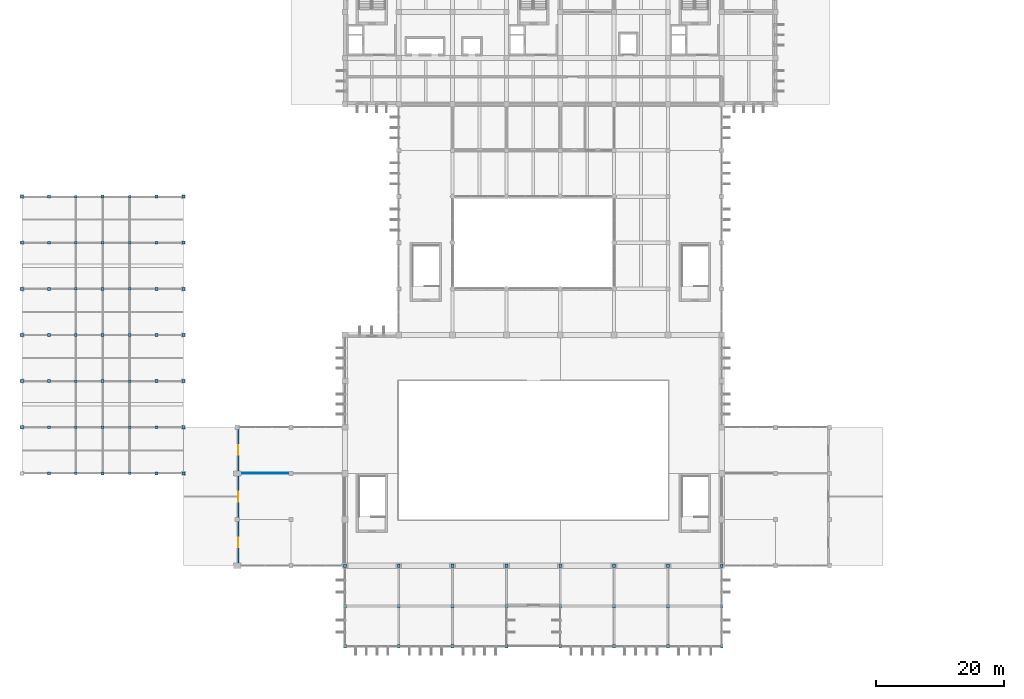
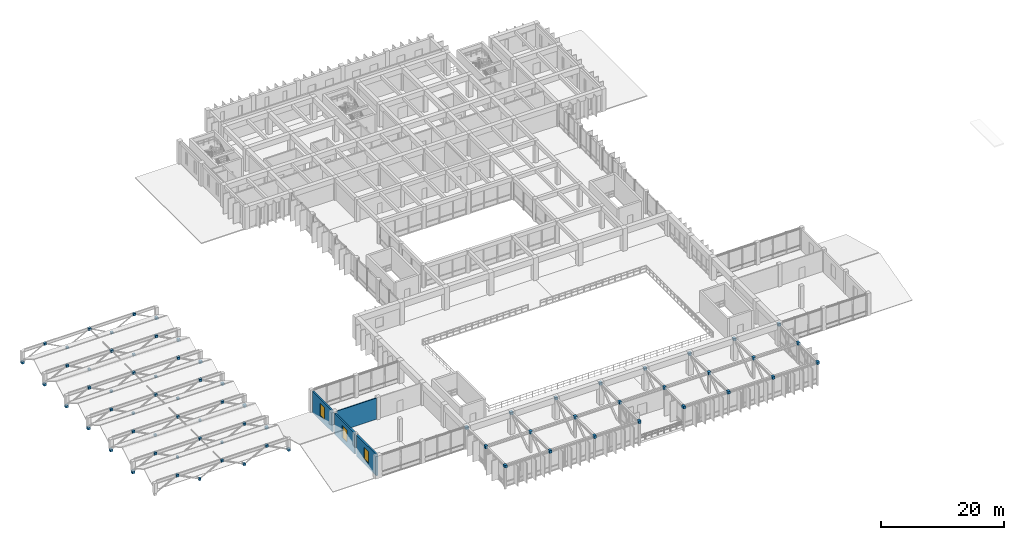
# One storey, part 25 of 40: 72 plates, 4 walls, 3 windows, 3 openings.
"""IFC4 building model written with IfcOpenShell, lengths in metres."""

from ifc_helpers import new_model, si_unit, direction, frame, frame_2d, origin, origin_2d, place, context, subcontext, project, spatial, rectangle, extrude, material, layer, layer_set, type_object, element, fill, save


model = new_model("IFC4")

# Units and contexts
model_context = context("Model", 3, precision=1e-05, world=origin(), true_north=direction((0.0, 1.0)))
body_context = subcontext(model_context, "Body", "Model", "MODEL_VIEW")
ifc_project = project(units=[si_unit("LENGTHUNIT", "METRE"), si_unit("AREAUNIT", "SQUARE_METRE"), si_unit("VOLUMEUNIT", "CUBIC_METRE"), si_unit("PLANEANGLEUNIT", "RADIAN"), si_unit("MASSUNIT", "GRAM", prefix="KILO")], contexts=[model_context])

# Site, building, storey
site_placement = place(None, origin())
site = spatial("IfcSite", under=ifc_project, at=site_placement, CompositionType="ELEMENT")
building_placement = place(site_placement, origin())
building = spatial("IfcBuilding", under=site, at=building_placement, Name="Kenerak Square Central Library", CompositionType="ELEMENT")
storey_placement = place(building_placement, frame((0.0, 0.0, 14.39990234375)))
storey = spatial("IfcBuildingStorey", under=building, at=storey_placement, Name="L03", CompositionType="ELEMENT", Elevation=14.39990234375)

# Plates
ifc_material_1 = material(Name="Steel S355", Category="steel")
ifc_layer_1 = layer(ifc_material_1, 0.030029296875)
ifc_layer_set_1 = layer_set([ifc_layer_1], Name="Steel S355")
plate_type_1 = type_object("IfcPlateType", Name="Auditorium Truss Gusset Node ATN-01 30mm S355", PredefinedType="USERDEFINED", material=ifc_layer_set_1)
plate_1_placement = place(storey_placement, frame((12.199951171875, 38.39990234375, 1.7548828125), z_axis=(0.0, 0.0, 1.0), x_axis=(1.0, 0.0, 0.0)))
element("IfcPlate", 1, at=plate_1_placement, inside=storey, type_object=plate_type_1, Name="Auditorium Truss Gusset ATN-01 0173", ObjectType="GUSSET PLATE", PredefinedType="USERDEFINED", context=body_context, shape_type="SweptSolid", body=[
    extrude(rectangle(XDim=0.449951171875, YDim=0.449951171875, at=origin_2d()), origin(), (0.0, 0.0, 1.0), 0.449951171875),
])
plate_2_placement = place(storey_placement, frame((16.39990234375, 38.39990234375, -0.449951171875), z_axis=(0.0, 0.0, 1.0), x_axis=(1.0, 0.0, 0.0)))
element("IfcPlate", 2, at=plate_2_placement, inside=storey, type_object=plate_type_1, Name="Auditorium Truss Bottom Node ATN-01 0174", ObjectType="GUSSET PLATE", PredefinedType="USERDEFINED", context=body_context, shape_type="SweptSolid", body=[
    extrude(rectangle(XDim=0.39990234375, YDim=0.39990234375, at=origin_2d()), origin(), (0.0, 0.0, 1.0), 0.39990234375),
])
plate_3_placement = place(storey_placement, frame((20.60009765625, 38.39990234375, 1.7548828125), z_axis=(0.0, 0.0, 1.0), x_axis=(1.0, 0.0, 0.0)))
element("IfcPlate", 3, at=plate_3_placement, inside=storey, type_object=plate_type_1, Name="Auditorium Truss Gusset ATN-01 0175", ObjectType="GUSSET PLATE", PredefinedType="USERDEFINED", context=body_context, shape_type="SweptSolid", body=[
    extrude(rectangle(XDim=0.449951171875, YDim=0.449951171875, at=origin_2d()), origin(), (0.0, 0.0, 1.0), 0.449951171875),
])
plate_4_placement = place(storey_placement, frame((24.800048828125, 38.39990234375, -0.449951171875), z_axis=(0.0, 0.0, 1.0), x_axis=(1.0, 0.0, 0.0)))
element("IfcPlate", 4, at=plate_4_placement, inside=storey, type_object=plate_type_1, Name="Auditorium Truss Bottom Node ATN-01 0176", ObjectType="GUSSET PLATE", PredefinedType="USERDEFINED", context=body_context, shape_type="SweptSolid", body=[
    extrude(rectangle(XDim=0.39990234375, YDim=0.39990234375, at=origin_2d()), origin(), (0.0, 0.0, 1.0), 0.39990234375),
])
plate_5_placement = place(storey_placement, frame((29.0, 38.39990234375, 1.7548828125), z_axis=(0.0, 0.0, 1.0), x_axis=(1.0, 0.0, 0.0)))
element("IfcPlate", 5, at=plate_5_placement, inside=storey, type_object=plate_type_1, Name="Auditorium Truss Gusset ATN-01 0177", ObjectType="GUSSET PLATE", PredefinedType="USERDEFINED", context=body_context, shape_type="SweptSolid", body=[
    extrude(rectangle(XDim=0.449951171875, YDim=0.449951171875, at=origin_2d()), origin(), (0.0, 0.0, 1.0), 0.449951171875),
])
for number, where, z_axis, x_axis, name in (
    (6, (8.0, 38.39990234375, -0.489990234375), (0.0, 0.0, 1.0), (1.0, 0.0, 0.0), "Auditorium Truss Bearing Cap ATN-01 0178"),
    (7, (33.199951171875, 38.39990234375, -0.489990234375), (0.0, 0.0, 1.0), (1.0, 0.0, 0.0), "Auditorium Truss Bearing Cap ATN-01 0179"),
):
    element("IfcPlate", number, at=place(storey_placement, frame(where, z_axis=z_axis, x_axis=x_axis)), inside=storey, type_object=plate_type_1, Name=name, ObjectType="GUSSET PLATE", PredefinedType="USERDEFINED", context=body_context, shape_type="SweptSolid", body=[
        extrude(rectangle(XDim=0.47998046875, YDim=0.47998046875, at=origin_2d()), origin(), (0.0, 0.0, 1.0), 0.47998046875),
    ])
plate_6_placement = place(storey_placement, frame((12.199951171875, 45.60009765625, 1.7548828125), z_axis=(0.0, 0.0, 1.0), x_axis=(1.0, 0.0, 0.0)))
element("IfcPlate", 8, at=plate_6_placement, inside=storey, type_object=plate_type_1, Name="Auditorium Truss Gusset ATN-01 0180", ObjectType="GUSSET PLATE", PredefinedType="USERDEFINED", context=body_context, shape_type="SweptSolid", body=[
    extrude(rectangle(XDim=0.449951171875, YDim=0.449951171875, at=origin_2d()), origin(), (0.0, 0.0, 1.0), 0.449951171875),
])
plate_7_placement = place(storey_placement, frame((16.39990234375, 45.60009765625, -0.449951171875), z_axis=(0.0, 0.0, 1.0), x_axis=(1.0, 0.0, 0.0)))
element("IfcPlate", 9, at=plate_7_placement, inside=storey, type_object=plate_type_1, Name="Auditorium Truss Bottom Node ATN-01 0181", ObjectType="GUSSET PLATE", PredefinedType="USERDEFINED", context=body_context, shape_type="SweptSolid", body=[
    extrude(rectangle(XDim=0.39990234375, YDim=0.39990234375, at=origin_2d()), origin(), (0.0, 0.0, 1.0), 0.39990234375),
])
plate_8_placement = place(storey_placement, frame((20.60009765625, 45.60009765625, 1.7548828125), z_axis=(0.0, 0.0, 1.0), x_axis=(1.0, 0.0, 0.0)))
element("IfcPlate", 10, at=plate_8_placement, inside=storey, type_object=plate_type_1, Name="Auditorium Truss Gusset ATN-01 0182", ObjectType="GUSSET PLATE", PredefinedType="USERDEFINED", context=body_context, shape_type="SweptSolid", body=[
    extrude(rectangle(XDim=0.449951171875, YDim=0.449951171875, at=origin_2d()), origin(), (0.0, 0.0, 1.0), 0.449951171875),
])
plate_9_placement = place(storey_placement, frame((24.800048828125, 45.60009765625, -0.449951171875), z_axis=(0.0, 0.0, 1.0), x_axis=(1.0, 0.0, 0.0)))
element("IfcPlate", 11, at=plate_9_placement, inside=storey, type_object=plate_type_1, Name="Auditorium Truss Bottom Node ATN-01 0183", ObjectType="GUSSET PLATE", PredefinedType="USERDEFINED", context=body_context, shape_type="SweptSolid", body=[
    extrude(rectangle(XDim=0.39990234375, YDim=0.39990234375, at=origin_2d()), origin(), (0.0, 0.0, 1.0), 0.39990234375),
])
plate_10_placement = place(storey_placement, frame((29.0, 45.60009765625, 1.7548828125), z_axis=(0.0, 0.0, 1.0), x_axis=(1.0, 0.0, 0.0)))
element("IfcPlate", 12, at=plate_10_placement, inside=storey, type_object=plate_type_1, Name="Auditorium Truss Gusset ATN-01 0184", ObjectType="GUSSET PLATE", PredefinedType="USERDEFINED", context=body_context, shape_type="SweptSolid", body=[
    extrude(rectangle(XDim=0.449951171875, YDim=0.449951171875, at=origin_2d()), origin(), (0.0, 0.0, 1.0), 0.449951171875),
])
for number, where, z_axis, x_axis, name in (
    (13, (8.0, 45.60009765625, -0.489990234375), (0.0, 0.0, 1.0), (1.0, 0.0, 0.0), "Auditorium Truss Bearing Cap ATN-01 0185"),
    (14, (33.199951171875, 45.60009765625, -0.489990234375), (0.0, 0.0, 1.0), (1.0, 0.0, 0.0), "Auditorium Truss Bearing Cap ATN-01 0186"),
):
    element("IfcPlate", number, at=place(storey_placement, frame(where, z_axis=z_axis, x_axis=x_axis)), inside=storey, type_object=plate_type_1, Name=name, ObjectType="GUSSET PLATE", PredefinedType="USERDEFINED", context=body_context, shape_type="SweptSolid", body=[
        extrude(rectangle(XDim=0.47998046875, YDim=0.47998046875, at=origin_2d()), origin(), (0.0, 0.0, 1.0), 0.47998046875),
    ])
plate_11_placement = place(storey_placement, frame((12.199951171875, 52.800048828125, 1.7548828125), z_axis=(0.0, 0.0, 1.0), x_axis=(1.0, 0.0, 0.0)))
element("IfcPlate", 15, at=plate_11_placement, inside=storey, type_object=plate_type_1, Name="Auditorium Truss Gusset ATN-01 0187", ObjectType="GUSSET PLATE", PredefinedType="USERDEFINED", context=body_context, shape_type="SweptSolid", body=[
    extrude(rectangle(XDim=0.449951171875, YDim=0.449951171875, at=origin_2d()), origin(), (0.0, 0.0, 1.0), 0.449951171875),
])
plate_12_placement = place(storey_placement, frame((16.39990234375, 52.800048828125, -0.449951171875), z_axis=(0.0, 0.0, 1.0), x_axis=(1.0, 0.0, 0.0)))
element("IfcPlate", 16, at=plate_12_placement, inside=storey, type_object=plate_type_1, Name="Auditorium Truss Bottom Node ATN-01 0188", ObjectType="GUSSET PLATE", PredefinedType="USERDEFINED", context=body_context, shape_type="SweptSolid", body=[
    extrude(rectangle(XDim=0.39990234375, YDim=0.39990234375, at=origin_2d()), origin(), (0.0, 0.0, 1.0), 0.39990234375),
])
plate_13_placement = place(storey_placement, frame((20.60009765625, 52.800048828125, 1.7548828125), z_axis=(0.0, 0.0, 1.0), x_axis=(1.0, 0.0, 0.0)))
element("IfcPlate", 17, at=plate_13_placement, inside=storey, type_object=plate_type_1, Name="Auditorium Truss Gusset ATN-01 0189", ObjectType="GUSSET PLATE", PredefinedType="USERDEFINED", context=body_context, shape_type="SweptSolid", body=[
    extrude(rectangle(XDim=0.449951171875, YDim=0.449951171875, at=origin_2d()), origin(), (0.0, 0.0, 1.0), 0.449951171875),
])
plate_14_placement = place(storey_placement, frame((24.800048828125, 52.800048828125, -0.449951171875), z_axis=(0.0, 0.0, 1.0), x_axis=(1.0, 0.0, 0.0)))
element("IfcPlate", 18, at=plate_14_placement, inside=storey, type_object=plate_type_1, Name="Auditorium Truss Bottom Node ATN-01 0190", ObjectType="GUSSET PLATE", PredefinedType="USERDEFINED", context=body_context, shape_type="SweptSolid", body=[
    extrude(rectangle(XDim=0.39990234375, YDim=0.39990234375, at=origin_2d()), origin(), (0.0, 0.0, 1.0), 0.39990234375),
])
plate_15_placement = place(storey_placement, frame((29.0, 52.800048828125, 1.7548828125), z_axis=(0.0, 0.0, 1.0), x_axis=(1.0, 0.0, 0.0)))
element("IfcPlate", 19, at=plate_15_placement, inside=storey, type_object=plate_type_1, Name="Auditorium Truss Gusset ATN-01 0191", ObjectType="GUSSET PLATE", PredefinedType="USERDEFINED", context=body_context, shape_type="SweptSolid", body=[
    extrude(rectangle(XDim=0.449951171875, YDim=0.449951171875, at=origin_2d()), origin(), (0.0, 0.0, 1.0), 0.449951171875),
])
for number, where, z_axis, x_axis, name in (
    (20, (8.0, 52.800048828125, -0.489990234375), (0.0, 0.0, 1.0), (1.0, 0.0, 0.0), "Auditorium Truss Bearing Cap ATN-01 0192"),
    (21, (33.199951171875, 52.800048828125, -0.489990234375), (0.0, 0.0, 1.0), (1.0, 0.0, 0.0), "Auditorium Truss Bearing Cap ATN-01 0193"),
):
    element("IfcPlate", number, at=place(storey_placement, frame(where, z_axis=z_axis, x_axis=x_axis)), inside=storey, type_object=plate_type_1, Name=name, ObjectType="GUSSET PLATE", PredefinedType="USERDEFINED", context=body_context, shape_type="SweptSolid", body=[
        extrude(rectangle(XDim=0.47998046875, YDim=0.47998046875, at=origin_2d()), origin(), (0.0, 0.0, 1.0), 0.47998046875),
    ])
plate_16_placement = place(storey_placement, frame((12.199951171875, 60.0, 1.7548828125), z_axis=(0.0, 0.0, 1.0), x_axis=(1.0, 0.0, 0.0)))
element("IfcPlate", 22, at=plate_16_placement, inside=storey, type_object=plate_type_1, Name="Auditorium Truss Gusset ATN-01 0194", ObjectType="GUSSET PLATE", PredefinedType="USERDEFINED", context=body_context, shape_type="SweptSolid", body=[
    extrude(rectangle(XDim=0.449951171875, YDim=0.449951171875, at=origin_2d()), origin(), (0.0, 0.0, 1.0), 0.449951171875),
])
plate_17_placement = place(storey_placement, frame((16.39990234375, 60.0, -0.449951171875), z_axis=(0.0, 0.0, 1.0), x_axis=(1.0, 0.0, 0.0)))
element("IfcPlate", 23, at=plate_17_placement, inside=storey, type_object=plate_type_1, Name="Auditorium Truss Bottom Node ATN-01 0195", ObjectType="GUSSET PLATE", PredefinedType="USERDEFINED", context=body_context, shape_type="SweptSolid", body=[
    extrude(rectangle(XDim=0.39990234375, YDim=0.39990234375, at=origin_2d()), origin(), (0.0, 0.0, 1.0), 0.39990234375),
])
plate_18_placement = place(storey_placement, frame((20.60009765625, 60.0, 1.7548828125), z_axis=(0.0, 0.0, 1.0), x_axis=(1.0, 0.0, 0.0)))
element("IfcPlate", 24, at=plate_18_placement, inside=storey, type_object=plate_type_1, Name="Auditorium Truss Gusset ATN-01 0196", ObjectType="GUSSET PLATE", PredefinedType="USERDEFINED", context=body_context, shape_type="SweptSolid", body=[
    extrude(rectangle(XDim=0.449951171875, YDim=0.449951171875, at=origin_2d()), origin(), (0.0, 0.0, 1.0), 0.449951171875),
])
plate_19_placement = place(storey_placement, frame((24.800048828125, 60.0, -0.449951171875), z_axis=(0.0, 0.0, 1.0), x_axis=(1.0, 0.0, 0.0)))
element("IfcPlate", 25, at=plate_19_placement, inside=storey, type_object=plate_type_1, Name="Auditorium Truss Bottom Node ATN-01 0197", ObjectType="GUSSET PLATE", PredefinedType="USERDEFINED", context=body_context, shape_type="SweptSolid", body=[
    extrude(rectangle(XDim=0.39990234375, YDim=0.39990234375, at=origin_2d()), origin(), (0.0, 0.0, 1.0), 0.39990234375),
])
plate_20_placement = place(storey_placement, frame((29.0, 60.0, 1.7548828125), z_axis=(0.0, 0.0, 1.0), x_axis=(1.0, 0.0, 0.0)))
element("IfcPlate", 26, at=plate_20_placement, inside=storey, type_object=plate_type_1, Name="Auditorium Truss Gusset ATN-01 0198", ObjectType="GUSSET PLATE", PredefinedType="USERDEFINED", context=body_context, shape_type="SweptSolid", body=[
    extrude(rectangle(XDim=0.449951171875, YDim=0.449951171875, at=origin_2d()), origin(), (0.0, 0.0, 1.0), 0.449951171875),
])
for number, where, z_axis, x_axis, name in (
    (27, (8.0, 60.0, -0.489990234375), (0.0, 0.0, 1.0), (1.0, 0.0, 0.0), "Auditorium Truss Bearing Cap ATN-01 0199"),
    (28, (33.199951171875, 60.0, -0.489990234375), (0.0, 0.0, 1.0), (1.0, 0.0, 0.0), "Auditorium Truss Bearing Cap ATN-01 0200"),
):
    element("IfcPlate", number, at=place(storey_placement, frame(where, z_axis=z_axis, x_axis=x_axis)), inside=storey, type_object=plate_type_1, Name=name, ObjectType="GUSSET PLATE", PredefinedType="USERDEFINED", context=body_context, shape_type="SweptSolid", body=[
        extrude(rectangle(XDim=0.47998046875, YDim=0.47998046875, at=origin_2d()), origin(), (0.0, 0.0, 1.0), 0.47998046875),
    ])
plate_21_placement = place(storey_placement, frame((12.199951171875, 67.199951171875, 1.7548828125), z_axis=(0.0, 0.0, 1.0), x_axis=(1.0, 0.0, 0.0)))
element("IfcPlate", 29, at=plate_21_placement, inside=storey, type_object=plate_type_1, Name="Auditorium Truss Gusset ATN-01 0201", ObjectType="GUSSET PLATE", PredefinedType="USERDEFINED", context=body_context, shape_type="SweptSolid", body=[
    extrude(rectangle(XDim=0.449951171875, YDim=0.449951171875, at=origin_2d()), origin(), (0.0, 0.0, 1.0), 0.449951171875),
])
plate_22_placement = place(storey_placement, frame((16.39990234375, 67.199951171875, -0.449951171875), z_axis=(0.0, 0.0, 1.0), x_axis=(1.0, 0.0, 0.0)))
element("IfcPlate", 30, at=plate_22_placement, inside=storey, type_object=plate_type_1, Name="Auditorium Truss Bottom Node ATN-01 0202", ObjectType="GUSSET PLATE", PredefinedType="USERDEFINED", context=body_context, shape_type="SweptSolid", body=[
    extrude(rectangle(XDim=0.39990234375, YDim=0.39990234375, at=origin_2d()), origin(), (0.0, 0.0, 1.0), 0.39990234375),
])
plate_23_placement = place(storey_placement, frame((20.60009765625, 67.199951171875, 1.7548828125), z_axis=(0.0, 0.0, 1.0), x_axis=(1.0, 0.0, 0.0)))
element("IfcPlate", 31, at=plate_23_placement, inside=storey, type_object=plate_type_1, Name="Auditorium Truss Gusset ATN-01 0203", ObjectType="GUSSET PLATE", PredefinedType="USERDEFINED", context=body_context, shape_type="SweptSolid", body=[
    extrude(rectangle(XDim=0.449951171875, YDim=0.449951171875, at=origin_2d()), origin(), (0.0, 0.0, 1.0), 0.449951171875),
])
plate_24_placement = place(storey_placement, frame((24.800048828125, 67.199951171875, -0.449951171875), z_axis=(0.0, 0.0, 1.0), x_axis=(1.0, 0.0, 0.0)))
element("IfcPlate", 32, at=plate_24_placement, inside=storey, type_object=plate_type_1, Name="Auditorium Truss Bottom Node ATN-01 0204", ObjectType="GUSSET PLATE", PredefinedType="USERDEFINED", context=body_context, shape_type="SweptSolid", body=[
    extrude(rectangle(XDim=0.39990234375, YDim=0.39990234375, at=origin_2d()), origin(), (0.0, 0.0, 1.0), 0.39990234375),
])
plate_25_placement = place(storey_placement, frame((29.0, 67.199951171875, 1.7548828125), z_axis=(0.0, 0.0, 1.0), x_axis=(1.0, 0.0, 0.0)))
element("IfcPlate", 33, at=plate_25_placement, inside=storey, type_object=plate_type_1, Name="Auditorium Truss Gusset ATN-01 0205", ObjectType="GUSSET PLATE", PredefinedType="USERDEFINED", context=body_context, shape_type="SweptSolid", body=[
    extrude(rectangle(XDim=0.449951171875, YDim=0.449951171875, at=origin_2d()), origin(), (0.0, 0.0, 1.0), 0.449951171875),
])
for number, where, z_axis, x_axis, name in (
    (34, (8.0, 67.199951171875, -0.489990234375), (0.0, 0.0, 1.0), (1.0, 0.0, 0.0), "Auditorium Truss Bearing Cap ATN-01 0206"),
    (35, (33.199951171875, 67.199951171875, -0.489990234375), (0.0, 0.0, 1.0), (1.0, 0.0, 0.0), "Auditorium Truss Bearing Cap ATN-01 0207"),
):
    element("IfcPlate", number, at=place(storey_placement, frame(where, z_axis=z_axis, x_axis=x_axis)), inside=storey, type_object=plate_type_1, Name=name, ObjectType="GUSSET PLATE", PredefinedType="USERDEFINED", context=body_context, shape_type="SweptSolid", body=[
        extrude(rectangle(XDim=0.47998046875, YDim=0.47998046875, at=origin_2d()), origin(), (0.0, 0.0, 1.0), 0.47998046875),
    ])
plate_26_placement = place(storey_placement, frame((12.199951171875, 31.199951171875, 1.7548828125), z_axis=(0.0, 0.0, 1.0), x_axis=(1.0, 0.0, 0.0)))
element("IfcPlate", 36, at=plate_26_placement, inside=storey, type_object=plate_type_1, Name="Auditorium Truss Gusset ATN-01 0208", ObjectType="GUSSET PLATE", PredefinedType="USERDEFINED", context=body_context, shape_type="SweptSolid", body=[
    extrude(rectangle(XDim=0.449951171875, YDim=0.449951171875, at=origin_2d()), origin(), (0.0, 0.0, 1.0), 0.449951171875),
])
plate_27_placement = place(storey_placement, frame((16.39990234375, 31.199951171875, -0.449951171875), z_axis=(0.0, 0.0, 1.0), x_axis=(1.0, 0.0, 0.0)))
element("IfcPlate", 37, at=plate_27_placement, inside=storey, type_object=plate_type_1, Name="Auditorium Truss Bottom Node ATN-01 0209", ObjectType="GUSSET PLATE", PredefinedType="USERDEFINED", context=body_context, shape_type="SweptSolid", body=[
    extrude(rectangle(XDim=0.39990234375, YDim=0.39990234375, at=origin_2d()), origin(), (0.0, 0.0, 1.0), 0.39990234375),
])
plate_28_placement = place(storey_placement, frame((20.60009765625, 31.199951171875, 1.7548828125), z_axis=(0.0, 0.0, 1.0), x_axis=(1.0, 0.0, 0.0)))
element("IfcPlate", 38, at=plate_28_placement, inside=storey, type_object=plate_type_1, Name="Auditorium Truss Gusset ATN-01 0210", ObjectType="GUSSET PLATE", PredefinedType="USERDEFINED", context=body_context, shape_type="SweptSolid", body=[
    extrude(rectangle(XDim=0.449951171875, YDim=0.449951171875, at=origin_2d()), origin(), (0.0, 0.0, 1.0), 0.449951171875),
])
plate_29_placement = place(storey_placement, frame((24.800048828125, 31.199951171875, -0.449951171875), z_axis=(0.0, 0.0, 1.0), x_axis=(1.0, 0.0, 0.0)))
element("IfcPlate", 39, at=plate_29_placement, inside=storey, type_object=plate_type_1, Name="Auditorium Truss Bottom Node ATN-01 0211", ObjectType="GUSSET PLATE", PredefinedType="USERDEFINED", context=body_context, shape_type="SweptSolid", body=[
    extrude(rectangle(XDim=0.39990234375, YDim=0.39990234375, at=origin_2d()), origin(), (0.0, 0.0, 1.0), 0.39990234375),
])
plate_30_placement = place(storey_placement, frame((29.0, 31.199951171875, 1.7548828125), z_axis=(0.0, 0.0, 1.0), x_axis=(1.0, 0.0, 0.0)))
element("IfcPlate", 40, at=plate_30_placement, inside=storey, type_object=plate_type_1, Name="Auditorium Truss Gusset ATN-01 0212", ObjectType="GUSSET PLATE", PredefinedType="USERDEFINED", context=body_context, shape_type="SweptSolid", body=[
    extrude(rectangle(XDim=0.449951171875, YDim=0.449951171875, at=origin_2d()), origin(), (0.0, 0.0, 1.0), 0.449951171875),
])
plate_31_placement = place(storey_placement, frame((33.199951171875, 31.199951171875, -0.489990234375), z_axis=(0.0, 0.0, 1.0), x_axis=(1.0, 0.0, 0.0)))
element("IfcPlate", 41, at=plate_31_placement, inside=storey, type_object=plate_type_1, Name="Auditorium Truss Bearing Cap ATN-01 0214", ObjectType="GUSSET PLATE", PredefinedType="USERDEFINED", context=body_context, shape_type="SweptSolid", body=[
    extrude(rectangle(XDim=0.47998046875, YDim=0.47998046875, at=origin_2d()), origin(), (0.0, 0.0, 1.0), 0.47998046875),
])
plate_32_placement = place(storey_placement, frame((12.199951171875, 74.39990234375, 1.7548828125), z_axis=(0.0, 0.0, 1.0), x_axis=(1.0, 0.0, 0.0)))
element("IfcPlate", 42, at=plate_32_placement, inside=storey, type_object=plate_type_1, Name="Auditorium Truss Gusset ATN-01 0215", ObjectType="GUSSET PLATE", PredefinedType="USERDEFINED", context=body_context, shape_type="SweptSolid", body=[
    extrude(rectangle(XDim=0.449951171875, YDim=0.449951171875, at=origin_2d()), origin(), (0.0, 0.0, 1.0), 0.449951171875),
])
plate_33_placement = place(storey_placement, frame((16.39990234375, 74.39990234375, -0.449951171875), z_axis=(0.0, 0.0, 1.0), x_axis=(1.0, 0.0, 0.0)))
element("IfcPlate", 43, at=plate_33_placement, inside=storey, type_object=plate_type_1, Name="Auditorium Truss Bottom Node ATN-01 0216", ObjectType="GUSSET PLATE", PredefinedType="USERDEFINED", context=body_context, shape_type="SweptSolid", body=[
    extrude(rectangle(XDim=0.39990234375, YDim=0.39990234375, at=origin_2d()), origin(), (0.0, 0.0, 1.0), 0.39990234375),
])
plate_34_placement = place(storey_placement, frame((20.60009765625, 74.39990234375, 1.7548828125), z_axis=(0.0, 0.0, 1.0), x_axis=(1.0, 0.0, 0.0)))
element("IfcPlate", 44, at=plate_34_placement, inside=storey, type_object=plate_type_1, Name="Auditorium Truss Gusset ATN-01 0217", ObjectType="GUSSET PLATE", PredefinedType="USERDEFINED", context=body_context, shape_type="SweptSolid", body=[
    extrude(rectangle(XDim=0.449951171875, YDim=0.449951171875, at=origin_2d()), origin(), (0.0, 0.0, 1.0), 0.449951171875),
])
plate_35_placement = place(storey_placement, frame((24.800048828125, 74.39990234375, -0.449951171875), z_axis=(0.0, 0.0, 1.0), x_axis=(1.0, 0.0, 0.0)))
element("IfcPlate", 45, at=plate_35_placement, inside=storey, type_object=plate_type_1, Name="Auditorium Truss Bottom Node ATN-01 0218", ObjectType="GUSSET PLATE", PredefinedType="USERDEFINED", context=body_context, shape_type="SweptSolid", body=[
    extrude(rectangle(XDim=0.39990234375, YDim=0.39990234375, at=origin_2d()), origin(), (0.0, 0.0, 1.0), 0.39990234375),
])
plate_36_placement = place(storey_placement, frame((29.0, 74.39990234375, 1.7548828125), z_axis=(0.0, 0.0, 1.0), x_axis=(1.0, 0.0, 0.0)))
element("IfcPlate", 46, at=plate_36_placement, inside=storey, type_object=plate_type_1, Name="Auditorium Truss Gusset ATN-01 0219", ObjectType="GUSSET PLATE", PredefinedType="USERDEFINED", context=body_context, shape_type="SweptSolid", body=[
    extrude(rectangle(XDim=0.449951171875, YDim=0.449951171875, at=origin_2d()), origin(), (0.0, 0.0, 1.0), 0.449951171875),
])
for number, where, z_axis, x_axis, name in (
    (47, (8.0, 74.39990234375, -0.489990234375), (0.0, 0.0, 1.0), (1.0, 0.0, 0.0), "Auditorium Truss Bearing Cap ATN-01 0220"),
    (48, (33.199951171875, 74.39990234375, -0.489990234375), (0.0, 0.0, 1.0), (1.0, 0.0, 0.0), "Auditorium Truss Bearing Cap ATN-01 0221"),
):
    element("IfcPlate", number, at=place(storey_placement, frame(where, z_axis=z_axis, x_axis=x_axis)), inside=storey, type_object=plate_type_1, Name=name, ObjectType="GUSSET PLATE", PredefinedType="USERDEFINED", context=body_context, shape_type="SweptSolid", body=[
        extrude(rectangle(XDim=0.47998046875, YDim=0.47998046875, at=origin_2d()), origin(), (0.0, 0.0, 1.0), 0.47998046875),
    ])
ifc_layer_2 = layer(ifc_material_1, 0.0400390625)
ifc_layer_set_2 = layer_set([ifc_layer_2], Name="Steel S355")
plate_type_2 = type_object("IfcPlateType", Name="Cantilever Truss Gusset Node KTN-01 40mm S355", PredefinedType="USERDEFINED", material=ifc_layer_set_2)
for number, where, z_axis, x_axis, name in (
    (49, (58.39990234375, 4.199951171875, 3.76513671875), (0.0, 0.0, 1.0), (1.0, 0.0, 0.0), "Truss Gusset Plate KTN-01 0007"),
    (50, (58.39990234375, 10.5, 3.76513671875), (0.0, 0.0, 1.0), (1.0, 0.0, 0.0), "Truss Gusset Plate KTN-01 0008"),
    (51, (58.39990234375, 16.800048828125, 3.76513671875), (0.0, 0.0, 1.0), (1.0, 0.0, 0.0), "Truss Gusset Plate KTN-01 0009"),
    (52, (66.800048828125, 4.199951171875, 3.76513671875), (0.0, 0.0, 1.0), (1.0, 0.0, 0.0), "Truss Gusset Plate KTN-01 0021"),
    (53, (66.800048828125, 10.5, 3.76513671875), (0.0, 0.0, 1.0), (1.0, 0.0, 0.0), "Truss Gusset Plate KTN-01 0022"),
    (54, (66.800048828125, 16.800048828125, 3.76513671875), (0.0, 0.0, 1.0), (1.0, 0.0, 0.0), "Truss Gusset Plate KTN-01 0023"),
    (55, (75.199951171875, 4.199951171875, 3.76513671875), (0.0, 0.0, 1.0), (1.0, 0.0, 0.0), "Truss Gusset Plate KTN-01 0035"),
    (56, (75.199951171875, 10.5, 3.76513671875), (0.0, 0.0, 1.0), (1.0, 0.0, 0.0), "Truss Gusset Plate KTN-01 0036"),
    (57, (75.199951171875, 16.800048828125, 3.76513671875), (0.0, 0.0, 1.0), (1.0, 0.0, 0.0), "Truss Gusset Plate KTN-01 0037"),
    (58, (83.60009765625, 4.199951171875, 3.76513671875), (0.0, 0.0, 1.0), (1.0, 0.0, 0.0), "Truss Gusset Plate KTN-01 0049"),
    (59, (83.60009765625, 10.5, 3.76513671875), (0.0, 0.0, 1.0), (1.0, 0.0, 0.0), "Truss Gusset Plate KTN-01 0050"),
    (60, (83.60009765625, 16.800048828125, 3.76513671875), (0.0, 0.0, 1.0), (1.0, 0.0, 0.0), "Truss Gusset Plate KTN-01 0051"),
    (61, (92.0, 4.199951171875, 3.76513671875), (0.0, 0.0, 1.0), (1.0, 0.0, 0.0), "Truss Gusset Plate KTN-01 0063"),
    (62, (92.0, 10.5, 3.76513671875), (0.0, 0.0, 1.0), (1.0, 0.0, 0.0), "Truss Gusset Plate KTN-01 0064"),
    (63, (92.0, 16.800048828125, 3.76513671875), (0.0, 0.0, 1.0), (1.0, 0.0, 0.0), "Truss Gusset Plate KTN-01 0065"),
    (64, (100.39990234375, 4.199951171875, 3.76513671875), (0.0, 0.0, 1.0), (1.0, 0.0, 0.0), "Truss Gusset Plate KTN-01 0077"),
    (65, (100.39990234375, 10.5, 3.76513671875), (0.0, 0.0, 1.0), (1.0, 0.0, 0.0), "Truss Gusset Plate KTN-01 0078"),
    (66, (100.39990234375, 16.800048828125, 3.76513671875), (0.0, 0.0, 1.0), (1.0, 0.0, 0.0), "Truss Gusset Plate KTN-01 0079"),
    (67, (108.800048828125, 4.199951171875, 3.76513671875), (0.0, 0.0, 1.0), (1.0, 0.0, 0.0), "Truss Gusset Plate KTN-01 0091"),
    (68, (108.800048828125, 10.5, 3.76513671875), (0.0, 0.0, 1.0), (1.0, 0.0, 0.0), "Truss Gusset Plate KTN-01 0092"),
    (69, (108.800048828125, 16.800048828125, 3.76513671875), (0.0, 0.0, 1.0), (1.0, 0.0, 0.0), "Truss Gusset Plate KTN-01 0093"),
    (70, (117.199951171875, 4.199951171875, 3.76513671875), (0.0, 0.0, 1.0), (1.0, 0.0, 0.0), "Truss Gusset Plate KTN-01 0105"),
    (71, (117.199951171875, 10.5, 3.76513671875), (0.0, 0.0, 1.0), (1.0, 0.0, 0.0), "Truss Gusset Plate KTN-01 0106"),
    (72, (117.199951171875, 16.800048828125, 3.76513671875), (0.0, 0.0, 1.0), (1.0, 0.0, 0.0), "Truss Gusset Plate KTN-01 0107"),
):
    element("IfcPlate", number, at=place(storey_placement, frame(where, z_axis=z_axis, x_axis=x_axis)), inside=storey, type_object=plate_type_2, Name=name, ObjectType="GUSSET PLATE", PredefinedType="USERDEFINED", context=body_context, shape_type="SweptSolid", body=[
        extrude(rectangle(XDim=0.4599609375, YDim=0.56005859375, at=origin_2d()), origin(), (0.0, 0.0, 1.0), 0.52001953125),
    ])

# Wall
ifc_material_2 = material(Name="Precast concrete C40/50", Category="concrete")
ifc_layer_3 = layer(ifc_material_2, 0.14990234375)
ifc_layer_set_3 = layer_set([ifc_layer_3], Name="Precast concrete C40/50")
wall_type_1 = type_object("IfcWallType", Name="Acoustic Blockwork Partition IW-150 C40/50", PredefinedType="PARTITIONING", material=ifc_layer_set_3)
wall_1_placement = place(storey_placement, frame((42.199951171875, 31.199951171875, 0.0), z_axis=(0.0, 0.0, 1.0), x_axis=(1.0, 0.0, 0.0)))
element("IfcWall", 73, at=wall_1_placement, inside=storey, type_object=wall_type_1, Name="Interior Wall IW-L03-03-N2-B1", PredefinedType="PARTITIONING", context=body_context, shape_type="SweptSolid", body=[
    extrude(rectangle(XDim=7.47509765625, YDim=0.14990234375, at=frame_2d((3.737548828125, 0.0))), origin(), (0.0, 0.0, 1.0), 4.22998046875),
])

# Wall, opening, window
ifc_material_3 = material(Name="Concrete C40/50", Category="concrete")
ifc_layer_4 = layer(ifc_material_3, 0.300048828125)
ifc_layer_set_4 = layer_set([ifc_layer_4], Name="Concrete C40/50")
wall_type_2 = type_object("IfcWallType", Name="Board-Marked Brutalist Facade Wall EW-300 C40/50", PredefinedType="SOLIDWALL", material=ifc_layer_set_4)
wall_2_placement = place(storey_placement, frame((41.75, 17.199951171875, 0.0), z_axis=(0.0, 0.0, 1.0), x_axis=(0.0, 1.0, 0.0)))
wall_2 = element("IfcWall", 74, at=wall_2_placement, inside=storey, type_object=wall_type_2, Name="Exterior Facade Wall L03 0215", PredefinedType="SOLIDWALL", context=body_context, shape_type="SweptSolid", body=[
    extrude(rectangle(XDim=6.47509765625, YDim=0.300048828125, at=frame_2d((3.237548828125, 0.0))), origin(), (0.0, 0.0, 1.0), 4.22998046875),
])
opening_1_placement = place(wall_2_placement, frame((2.487548828125, 0.0, 0.89990234375)))
opening_1 = element("IfcOpeningElement", 75, at=opening_1_placement, cuts=wall_2, Name="Opening W-07", PredefinedType="OPENING", context=body_context, shape_type="SweptSolid", body=[
    extrude(rectangle(XDim=1.5, YDim=2.39990234375, at=frame_2d((0.75, 1.199951171875))), frame((0.0, 0.159912109375, 0.0), z_axis=(0.0, -1.0, 0.0), x_axis=(1.0, 0.0, 0.0)), (0.0, 0.0, 1.0), 0.320068359375),
])
ifc_material_4 = material(Name="Solar-control low-E laminated double glazing", Category="glass")
window_type = type_object("IfcWindowType", Name="Humanities Reading Window W-07 1500x2400", PartitioningType="SINGLE_PANEL", PredefinedType="WINDOW", material=ifc_material_4)
window_1_placement = place(opening_1_placement, origin())
window_1 = element("IfcWindow", 76, at=window_1_placement, inside=storey, type_object=window_type, Name="Window W-07 L03 0235", OverallHeight=2.39990234375, OverallWidth=1.5, PartitioningType="SINGLE_PANEL", PredefinedType="WINDOW", context=body_context, shape_type="SweptSolid", body=[
    extrude(rectangle(XDim=1.5, YDim=2.39990234375, at=frame_2d((0.75, 1.199951171875))), frame((0.0, 0.030029296875, 0.0), z_axis=(0.0, -1.0, 0.0), x_axis=(1.0, 0.0, 0.0)), (0.0, 0.0, 1.0), 0.06005859375),
])
fill(opening_1, window_1)

wall_3_placement = place(storey_placement, frame((41.75, 24.324951171875, 0.0), z_axis=(0.0, 0.0, 1.0), x_axis=(0.0, 1.0, 0.0)))
wall_3 = element("IfcWall", 77, at=wall_3_placement, inside=storey, type_object=wall_type_2, Name="Exterior Facade Wall L03 0216", PredefinedType="SOLIDWALL", context=body_context, shape_type="SweptSolid", body=[
    extrude(rectangle(XDim=6.47509765625, YDim=0.300048828125, at=frame_2d((3.237548828125, 0.0))), origin(), (0.0, 0.0, 1.0), 4.22998046875),
])
opening_2_placement = place(wall_3_placement, frame((2.487548828125, 0.0, 0.89990234375)))
opening_2 = element("IfcOpeningElement", 78, at=opening_2_placement, cuts=wall_3, Name="Opening W-07", PredefinedType="OPENING", context=body_context, shape_type="SweptSolid", body=[
    extrude(rectangle(XDim=1.5, YDim=2.39990234375, at=frame_2d((0.75, 1.199951171875))), frame((0.0, 0.159912109375, 0.0), z_axis=(0.0, -1.0, 0.0), x_axis=(1.0, 0.0, 0.0)), (0.0, 0.0, 1.0), 0.320068359375),
])
window_2_placement = place(opening_2_placement, origin())
window_2 = element("IfcWindow", 79, at=window_2_placement, inside=storey, type_object=window_type, Name="Window W-07 L03 0236", OverallHeight=2.39990234375, OverallWidth=1.5, PartitioningType="SINGLE_PANEL", PredefinedType="WINDOW", context=body_context, shape_type="SweptSolid", body=[
    extrude(rectangle(XDim=1.5, YDim=2.39990234375, at=frame_2d((0.75, 1.199951171875))), frame((0.0, 0.030029296875, 0.0), z_axis=(0.0, -1.0, 0.0), x_axis=(1.0, 0.0, 0.0)), (0.0, 0.0, 1.0), 0.06005859375),
])
fill(opening_2, window_2)

wall_4_placement = place(storey_placement, frame((41.75, 31.60009765625, 0.0), z_axis=(0.0, 0.0, 1.0), x_axis=(0.0, 1.0, 0.0)))
wall_4 = element("IfcWall", 80, at=wall_4_placement, inside=storey, type_object=wall_type_2, Name="Exterior Facade Wall L03 0217", PredefinedType="SOLIDWALL", context=body_context, shape_type="SweptSolid", body=[
    extrude(rectangle(XDim=6.474853515625, YDim=0.300048828125, at=frame_2d((3.2373046875, 0.0))), origin(), (0.0, 0.0, 1.0), 4.22998046875),
])
opening_3_placement = place(wall_4_placement, frame((2.487548828125, 0.0, 0.89990234375)))
opening_3 = element("IfcOpeningElement", 81, at=opening_3_placement, cuts=wall_4, Name="Opening W-07", PredefinedType="OPENING", context=body_context, shape_type="SweptSolid", body=[
    extrude(rectangle(XDim=1.5, YDim=2.39990234375, at=frame_2d((0.75, 1.199951171875))), frame((0.0, 0.159912109375, 0.0), z_axis=(0.0, -1.0, 0.0), x_axis=(1.0, 0.0, 0.0)), (0.0, 0.0, 1.0), 0.320068359375),
])
window_3_placement = place(opening_3_placement, origin())
window_3 = element("IfcWindow", 82, at=window_3_placement, inside=storey, type_object=window_type, Name="Window W-07 L03 0237", OverallHeight=2.39990234375, OverallWidth=1.5, PartitioningType="SINGLE_PANEL", PredefinedType="WINDOW", context=body_context, shape_type="SweptSolid", body=[
    extrude(rectangle(XDim=1.5, YDim=2.39990234375, at=frame_2d((0.75, 1.199951171875))), frame((0.0, 0.030029296875, 0.0), z_axis=(0.0, -1.0, 0.0), x_axis=(1.0, 0.0, 0.0)), (0.0, 0.0, 1.0), 0.06005859375),
])
fill(opening_3, window_3)

save(model, "model.ifc")
